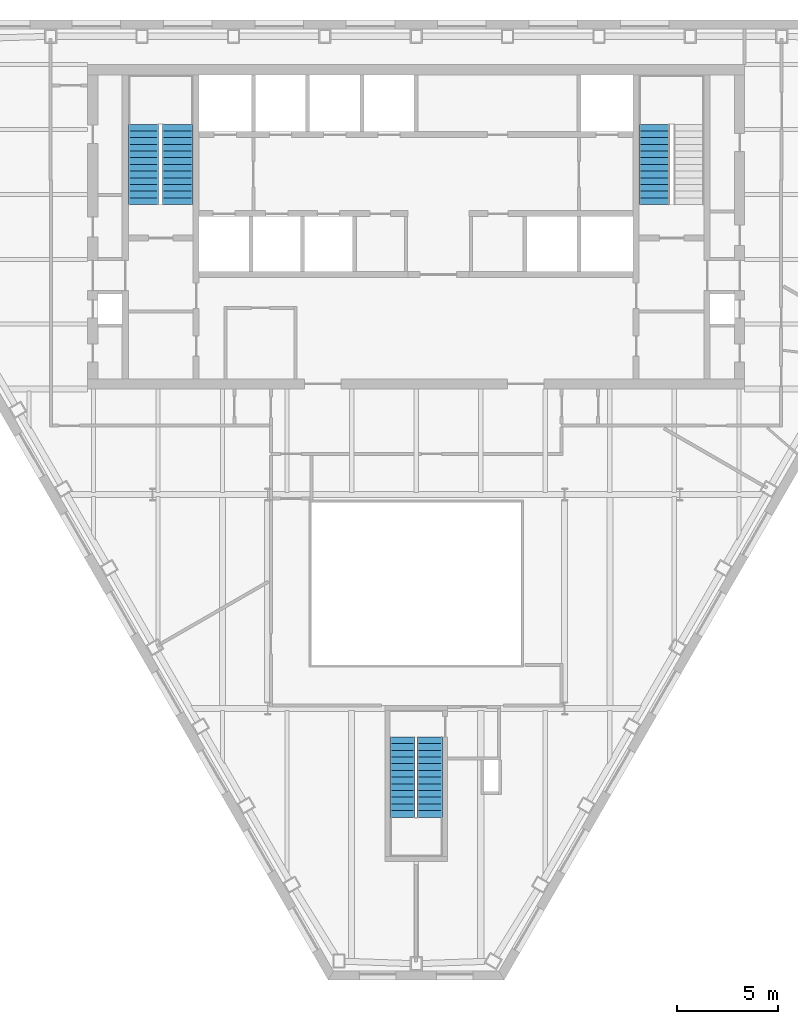
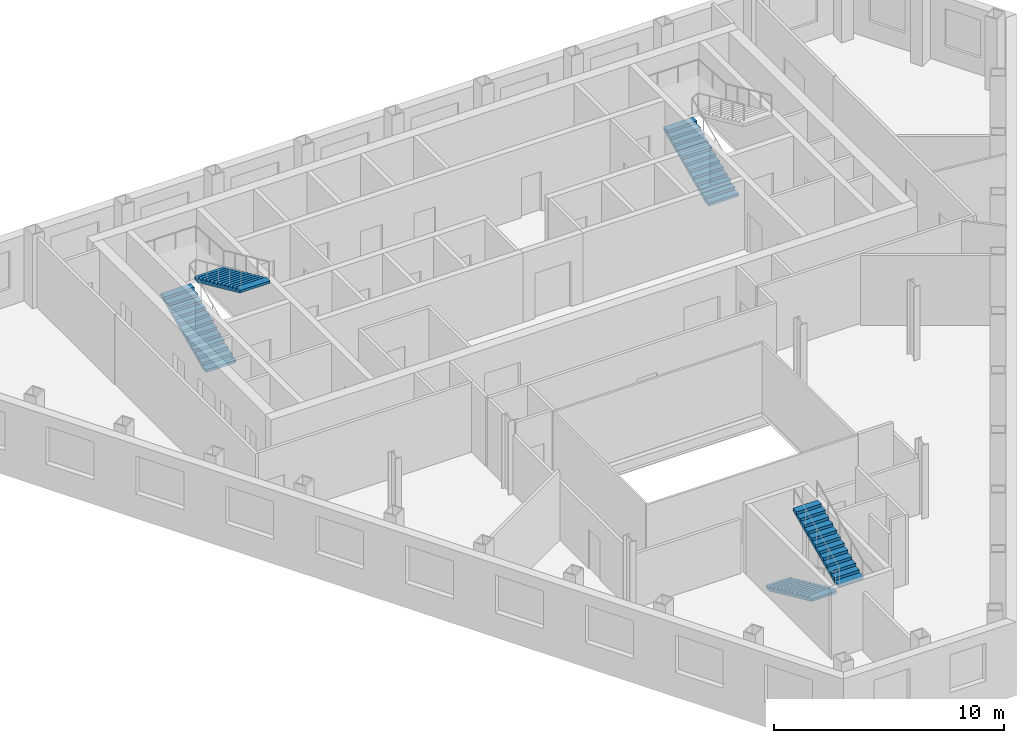
# One storey, part 8 of 10: 5 stair flights, 3 elements without a shape of their own.
"""IFC4 building model written with IfcOpenShell, lengths in metres."""

from ifc_helpers import new_model, si_unit, direction, frame, origin, place, context, subcontext, project, spatial, polygons, material, type_object, element, aggregate, save


model = new_model("IFC4")

# Units and contexts
model_context = context("Model", 3, precision=1e-05, world=origin(), true_north=direction((0.0, 1.0)))
body_context = subcontext(model_context, "Body", "Model", "MODEL_VIEW")
ifc_project = project(units=[si_unit("LENGTHUNIT", "METRE"), si_unit("AREAUNIT", "SQUARE_METRE"), si_unit("VOLUMEUNIT", "CUBIC_METRE"), si_unit("PLANEANGLEUNIT", "RADIAN"), si_unit("MASSUNIT", "GRAM", prefix="KILO")], contexts=[model_context])

# Site, building, storey
site_placement = place(None, origin())
site = spatial("IfcSite", under=ifc_project, at=site_placement, CompositionType="ELEMENT")
building_placement = place(site_placement, origin())
building = spatial("IfcBuilding", under=site, at=building_placement, Name="Njiva Tower", CompositionType="ELEMENT")
storey_placement = place(building_placement, frame((0.0, 0.0, 155.4)))
storey = spatial("IfcBuildingStorey", under=building, at=storey_placement, Name="L33", CompositionType="ELEMENT", Elevation=155.4)

# Stair, stair flights
ifc_material = material(Name="Concrete C40/50", Category="concrete")
stair_type_1 = type_object("IfcStairType", Name="ST1 Exit stair 1250", PredefinedType="HALF_TURN_STAIR", material=ifc_material)
stair_1_placement = place(storey_placement, origin())
stair_1 = element("IfcStair", 1, at=stair_1_placement, inside=storey, type_object=stair_type_1, Name="Stair C", PredefinedType="HALF_TURN_STAIR")
stair_flight_type_1 = type_object("IfcStairFlightType", Name="FL1 Stair flight 1250", PredefinedType="STRAIGHT", material=ifc_material)
stair_flight_1_placement = place(storey_placement, frame((-0.675, -15.16, 0.0), z_axis=(0.0, 0.0, 1.0), x_axis=(0.0, -1.0, 0.0)))
stair_flight_1 = element("IfcStairFlight", 2, at=stair_flight_1_placement, type_object=stair_flight_type_1, Name="ST-C flight 1", NumberOfRisers=13, NumberOfTreads=12, PredefinedType="STRAIGHT", RiserHeight=0.15, TreadLength=0.33, context=body_context, shape_type="Tessellation", body=[
    polygons([(0.0, 0.625, 0.0), (0.0, 0.3125, 0.0), (0.0, 0.0, 0.0), (0.0, -0.3125, 0.0), (0.0, -0.625, 0.0), (0.0, 0.625, 0.15), (0.0, 0.3125, 0.15), (0.0, 0.0, 0.15), (0.0, -0.3125, 0.15), (0.0, -0.625, 0.15), (0.33, 0.625, 0.15), (0.33, 0.3125, 0.15), (0.33, 0.0, 0.15), (0.33, -0.3125, 0.15), (0.33, -0.625, 0.15), (0.33, 0.625, 0.3), (0.33, 0.3125, 0.3), (0.33, 0.0, 0.3), (0.33, -0.3125, 0.3), (0.33, -0.625, 0.3), (0.66, 0.625, 0.3), (0.66, 0.3125, 0.3), (0.66, 0.0, 0.3), (0.66, -0.3125, 0.3), (0.66, -0.625, 0.3), (0.66, 0.625, 0.45), (0.66, 0.3125, 0.45), (0.66, 0.0, 0.45), (0.66, -0.3125, 0.45), (0.66, -0.625, 0.45), (0.99, 0.625, 0.45), (0.99, 0.3125, 0.45), (0.99, 0.0, 0.45), (0.99, -0.3125, 0.45), (0.99, -0.625, 0.45), (0.99, 0.625, 0.6), (0.99, 0.3125, 0.6), (0.99, 0.0, 0.6), (0.99, -0.3125, 0.6), (0.99, -0.625, 0.6), (1.32, 0.625, 0.6), (1.32, 0.3125, 0.6), (1.32, 0.0, 0.6), (1.32, -0.3125, 0.6), (1.32, -0.625, 0.6), (1.32, 0.625, 0.75), (1.32, 0.3125, 0.75), (1.32, 0.0, 0.75), (1.32, -0.3125, 0.75), (1.32, -0.625, 0.75), (1.65, 0.625, 0.75), (1.65, 0.3125, 0.75), (1.65, 0.0, 0.75), (1.65, -0.3125, 0.75), (1.65, -0.625, 0.75), (1.65, 0.625, 0.9), (1.65, 0.3125, 0.9), (1.65, 0.0, 0.9), (1.65, -0.3125, 0.9), (1.65, -0.625, 0.9), (1.98, 0.625, 0.9), (1.98, 0.3125, 0.9), (1.98, 0.0, 0.9), (1.98, -0.3125, 0.9), (1.98, -0.625, 0.9), (1.98, 0.625, 1.05), (1.98, 0.3125, 1.05), (1.98, 0.0, 1.05), (1.98, -0.3125, 1.05), (1.98, -0.625, 1.05), (2.31, 0.625, 1.05), (2.31, 0.3125, 1.05), (2.31, 0.0, 1.05), (2.31, -0.3125, 1.05), (2.31, -0.625, 1.05), (2.31, 0.625, 1.2), (2.31, 0.3125, 1.2), (2.31, 0.0, 1.2), (2.31, -0.3125, 1.2), (2.31, -0.625, 1.2), (2.64, 0.625, 1.2), (2.64, 0.3125, 1.2), (2.64, 0.0, 1.2), (2.64, -0.3125, 1.2), (2.64, -0.625, 1.2), (2.64, 0.625, 1.35), (2.64, 0.3125, 1.35), (2.64, 0.0, 1.35), (2.64, -0.3125, 1.35), (2.64, -0.625, 1.35), (2.97, 0.625, 1.35), (2.97, 0.3125, 1.35), (2.97, 0.0, 1.35), (2.97, -0.3125, 1.35), (2.97, -0.625, 1.35), (2.97, 0.625, 1.5), (2.97, 0.3125, 1.5), (2.97, 0.0, 1.5), (2.97, -0.3125, 1.5), (2.97, -0.625, 1.5), (3.3, 0.625, 1.5), (3.3, 0.3125, 1.5), (3.3, 0.0, 1.5), (3.3, -0.3125, 1.5), (3.3, -0.625, 1.5), (3.3, 0.625, 1.65), (3.3, 0.3125, 1.65), (3.3, 0.0, 1.65), (3.3, -0.3125, 1.65), (3.3, -0.625, 1.65), (3.63, 0.625, 1.65), (3.63, 0.3125, 1.65), (3.63, 0.0, 1.65), (3.63, -0.3125, 1.65), (3.63, -0.625, 1.65), (3.63, 0.625, 1.8), (3.63, 0.3125, 1.8), (3.63, 0.0, 1.8), (3.63, -0.3125, 1.8), (3.63, -0.625, 1.8), (3.96, 0.625, 1.8), (3.96, 0.3125, 1.8), (3.96, 0.0, 1.8), (3.96, -0.3125, 1.8), (3.96, -0.625, 1.8), (3.96, 0.625, 1.6682), (3.96, 0.3125, 1.6682), (3.96, 0.0, 1.6682), (3.96, -0.3125, 1.6682), (3.96, -0.625, 1.6682), (0.29, 0.625, 0.0), (0.29, 0.3125, 0.0), (0.29, 0.0, 0.0), (0.29, -0.3125, 0.0), (0.29, -0.625, 0.0)], [[[1, 6, 11, 16, 21, 26, 31, 36, 41, 46, 51, 56, 61, 66, 71, 76, 81, 86, 91, 96, 101, 106, 111, 116, 121, 126, 131]], [[135, 130, 125, 120, 115, 110, 105, 100, 95, 90, 85, 80, 75, 70, 65, 60, 55, 50, 45, 40, 35, 30, 25, 20, 15, 10, 5]], [[6, 1, 2, 7]], [[7, 2, 3, 8]], [[8, 3, 4, 9]], [[9, 4, 5, 10]], [[11, 6, 7, 12]], [[12, 7, 8, 13]], [[13, 8, 9, 14]], [[14, 9, 10, 15]], [[16, 11, 12, 17]], [[17, 12, 13, 18]], [[18, 13, 14, 19]], [[19, 14, 15, 20]], [[21, 16, 17, 22]], [[22, 17, 18, 23]], [[23, 18, 19, 24]], [[24, 19, 20, 25]], [[26, 21, 22, 27]], [[27, 22, 23, 28]], [[28, 23, 24, 29]], [[29, 24, 25, 30]], [[31, 26, 27, 32]], [[32, 27, 28, 33]], [[33, 28, 29, 34]], [[34, 29, 30, 35]], [[36, 31, 32, 37]], [[37, 32, 33, 38]], [[38, 33, 34, 39]], [[39, 34, 35, 40]], [[41, 36, 37, 42]], [[42, 37, 38, 43]], [[43, 38, 39, 44]], [[44, 39, 40, 45]], [[46, 41, 42, 47]], [[47, 42, 43, 48]], [[48, 43, 44, 49]], [[49, 44, 45, 50]], [[51, 46, 47, 52]], [[52, 47, 48, 53]], [[53, 48, 49, 54]], [[54, 49, 50, 55]], [[56, 51, 52, 57]], [[57, 52, 53, 58]], [[58, 53, 54, 59]], [[59, 54, 55, 60]], [[61, 56, 57, 62]], [[62, 57, 58, 63]], [[63, 58, 59, 64]], [[64, 59, 60, 65]], [[66, 61, 62, 67]], [[67, 62, 63, 68]], [[68, 63, 64, 69]], [[69, 64, 65, 70]], [[71, 66, 67, 72]], [[72, 67, 68, 73]], [[73, 68, 69, 74]], [[74, 69, 70, 75]], [[76, 71, 72, 77]], [[77, 72, 73, 78]], [[78, 73, 74, 79]], [[79, 74, 75, 80]], [[81, 76, 77, 82]], [[82, 77, 78, 83]], [[83, 78, 79, 84]], [[84, 79, 80, 85]], [[86, 81, 82, 87]], [[87, 82, 83, 88]], [[88, 83, 84, 89]], [[89, 84, 85, 90]], [[91, 86, 87, 92]], [[92, 87, 88, 93]], [[93, 88, 89, 94]], [[94, 89, 90, 95]], [[96, 91, 92, 97]], [[97, 92, 93, 98]], [[98, 93, 94, 99]], [[99, 94, 95, 100]], [[101, 96, 97, 102]], [[102, 97, 98, 103]], [[103, 98, 99, 104]], [[104, 99, 100, 105]], [[106, 101, 102, 107]], [[107, 102, 103, 108]], [[108, 103, 104, 109]], [[109, 104, 105, 110]], [[111, 106, 107, 112]], [[112, 107, 108, 113]], [[113, 108, 109, 114]], [[114, 109, 110, 115]], [[116, 111, 112, 117]], [[117, 112, 113, 118]], [[118, 113, 114, 119]], [[119, 114, 115, 120]], [[121, 116, 117, 122]], [[122, 117, 118, 123]], [[123, 118, 119, 124]], [[124, 119, 120, 125]], [[126, 121, 122, 127]], [[127, 122, 123, 128]], [[128, 123, 124, 129]], [[129, 124, 125, 130]], [[131, 126, 127, 132]], [[132, 127, 128, 133]], [[133, 128, 129, 134]], [[134, 129, 130, 135]], [[1, 131, 132, 2]], [[2, 132, 133, 3]], [[3, 133, 134, 4]], [[4, 134, 135, 5]]], closed=True),
])
stair_flight_2_placement = place(storey_placement, frame((0.675, -19.12, 1.95), z_axis=(0.0, 0.0, 1.0), x_axis=(0.0, 1.0, 0.0)))
stair_flight_2 = element("IfcStairFlight", 3, at=stair_flight_2_placement, type_object=stair_flight_type_1, Name="ST-C flight 2", NumberOfRisers=13, NumberOfTreads=12, PredefinedType="STRAIGHT", RiserHeight=0.15, TreadLength=0.33, context=body_context, shape_type="Tessellation", body=[
    polygons([(0.0, 0.625, 0.0), (0.0, 0.3125, 0.0), (0.0, 0.0, 0.0), (0.0, -0.3125, 0.0), (0.0, -0.625, 0.0), (0.0, 0.625, 0.15), (0.0, 0.3125, 0.15), (0.0, 0.0, 0.15), (0.0, -0.3125, 0.15), (0.0, -0.625, 0.15), (0.33, 0.625, 0.15), (0.33, 0.3125, 0.15), (0.33, 0.0, 0.15), (0.33, -0.3125, 0.15), (0.33, -0.625, 0.15), (0.33, 0.625, 0.3), (0.33, 0.3125, 0.3), (0.33, 0.0, 0.3), (0.33, -0.3125, 0.3), (0.33, -0.625, 0.3), (0.66, 0.625, 0.3), (0.66, 0.3125, 0.3), (0.66, 0.0, 0.3), (0.66, -0.3125, 0.3), (0.66, -0.625, 0.3), (0.66, 0.625, 0.45), (0.66, 0.3125, 0.45), (0.66, 0.0, 0.45), (0.66, -0.3125, 0.45), (0.66, -0.625, 0.45), (0.99, 0.625, 0.45), (0.99, 0.3125, 0.45), (0.99, 0.0, 0.45), (0.99, -0.3125, 0.45), (0.99, -0.625, 0.45), (0.99, 0.625, 0.6), (0.99, 0.3125, 0.6), (0.99, 0.0, 0.6), (0.99, -0.3125, 0.6), (0.99, -0.625, 0.6), (1.32, 0.625, 0.6), (1.32, 0.3125, 0.6), (1.32, 0.0, 0.6), (1.32, -0.3125, 0.6), (1.32, -0.625, 0.6), (1.32, 0.625, 0.75), (1.32, 0.3125, 0.75), (1.32, 0.0, 0.75), (1.32, -0.3125, 0.75), (1.32, -0.625, 0.75), (1.65, 0.625, 0.75), (1.65, 0.3125, 0.75), (1.65, 0.0, 0.75), (1.65, -0.3125, 0.75), (1.65, -0.625, 0.75), (1.65, 0.625, 0.9), (1.65, 0.3125, 0.9), (1.65, 0.0, 0.9), (1.65, -0.3125, 0.9), (1.65, -0.625, 0.9), (1.98, 0.625, 0.9), (1.98, 0.3125, 0.9), (1.98, 0.0, 0.9), (1.98, -0.3125, 0.9), (1.98, -0.625, 0.9), (1.98, 0.625, 1.05), (1.98, 0.3125, 1.05), (1.98, 0.0, 1.05), (1.98, -0.3125, 1.05), (1.98, -0.625, 1.05), (2.31, 0.625, 1.05), (2.31, 0.3125, 1.05), (2.31, 0.0, 1.05), (2.31, -0.3125, 1.05), (2.31, -0.625, 1.05), (2.31, 0.625, 1.2), (2.31, 0.3125, 1.2), (2.31, 0.0, 1.2), (2.31, -0.3125, 1.2), (2.31, -0.625, 1.2), (2.64, 0.625, 1.2), (2.64, 0.3125, 1.2), (2.64, 0.0, 1.2), (2.64, -0.3125, 1.2), (2.64, -0.625, 1.2), (2.64, 0.625, 1.35), (2.64, 0.3125, 1.35), (2.64, 0.0, 1.35), (2.64, -0.3125, 1.35), (2.64, -0.625, 1.35), (2.97, 0.625, 1.35), (2.97, 0.3125, 1.35), (2.97, 0.0, 1.35), (2.97, -0.3125, 1.35), (2.97, -0.625, 1.35), (2.97, 0.625, 1.5), (2.97, 0.3125, 1.5), (2.97, 0.0, 1.5), (2.97, -0.3125, 1.5), (2.97, -0.625, 1.5), (3.3, 0.625, 1.5), (3.3, 0.3125, 1.5), (3.3, 0.0, 1.5), (3.3, -0.3125, 1.5), (3.3, -0.625, 1.5), (3.3, 0.625, 1.65), (3.3, 0.3125, 1.65), (3.3, 0.0, 1.65), (3.3, -0.3125, 1.65), (3.3, -0.625, 1.65), (3.63, 0.625, 1.65), (3.63, 0.3125, 1.65), (3.63, 0.0, 1.65), (3.63, -0.3125, 1.65), (3.63, -0.625, 1.65), (3.63, 0.625, 1.8), (3.63, 0.3125, 1.8), (3.63, 0.0, 1.8), (3.63, -0.3125, 1.8), (3.63, -0.625, 1.8), (3.96, 0.625, 1.8), (3.96, 0.3125, 1.8), (3.96, 0.0, 1.8), (3.96, -0.3125, 1.8), (3.96, -0.625, 1.8), (3.96, 0.625, 1.6682), (3.96, 0.3125, 1.6682), (3.96, 0.0, 1.6682), (3.96, -0.3125, 1.6682), (3.96, -0.625, 1.6682), (0.29, 0.625, 0.0), (0.29, 0.3125, 0.0), (0.29, 0.0, 0.0), (0.29, -0.3125, 0.0), (0.29, -0.625, 0.0)], [[[1, 6, 11, 16, 21, 26, 31, 36, 41, 46, 51, 56, 61, 66, 71, 76, 81, 86, 91, 96, 101, 106, 111, 116, 121, 126, 131]], [[135, 130, 125, 120, 115, 110, 105, 100, 95, 90, 85, 80, 75, 70, 65, 60, 55, 50, 45, 40, 35, 30, 25, 20, 15, 10, 5]], [[6, 1, 2, 7]], [[7, 2, 3, 8]], [[8, 3, 4, 9]], [[9, 4, 5, 10]], [[11, 6, 7, 12]], [[12, 7, 8, 13]], [[13, 8, 9, 14]], [[14, 9, 10, 15]], [[16, 11, 12, 17]], [[17, 12, 13, 18]], [[18, 13, 14, 19]], [[19, 14, 15, 20]], [[21, 16, 17, 22]], [[22, 17, 18, 23]], [[23, 18, 19, 24]], [[24, 19, 20, 25]], [[26, 21, 22, 27]], [[27, 22, 23, 28]], [[28, 23, 24, 29]], [[29, 24, 25, 30]], [[31, 26, 27, 32]], [[32, 27, 28, 33]], [[33, 28, 29, 34]], [[34, 29, 30, 35]], [[36, 31, 32, 37]], [[37, 32, 33, 38]], [[38, 33, 34, 39]], [[39, 34, 35, 40]], [[41, 36, 37, 42]], [[42, 37, 38, 43]], [[43, 38, 39, 44]], [[44, 39, 40, 45]], [[46, 41, 42, 47]], [[47, 42, 43, 48]], [[48, 43, 44, 49]], [[49, 44, 45, 50]], [[51, 46, 47, 52]], [[52, 47, 48, 53]], [[53, 48, 49, 54]], [[54, 49, 50, 55]], [[56, 51, 52, 57]], [[57, 52, 53, 58]], [[58, 53, 54, 59]], [[59, 54, 55, 60]], [[61, 56, 57, 62]], [[62, 57, 58, 63]], [[63, 58, 59, 64]], [[64, 59, 60, 65]], [[66, 61, 62, 67]], [[67, 62, 63, 68]], [[68, 63, 64, 69]], [[69, 64, 65, 70]], [[71, 66, 67, 72]], [[72, 67, 68, 73]], [[73, 68, 69, 74]], [[74, 69, 70, 75]], [[76, 71, 72, 77]], [[77, 72, 73, 78]], [[78, 73, 74, 79]], [[79, 74, 75, 80]], [[81, 76, 77, 82]], [[82, 77, 78, 83]], [[83, 78, 79, 84]], [[84, 79, 80, 85]], [[86, 81, 82, 87]], [[87, 82, 83, 88]], [[88, 83, 84, 89]], [[89, 84, 85, 90]], [[91, 86, 87, 92]], [[92, 87, 88, 93]], [[93, 88, 89, 94]], [[94, 89, 90, 95]], [[96, 91, 92, 97]], [[97, 92, 93, 98]], [[98, 93, 94, 99]], [[99, 94, 95, 100]], [[101, 96, 97, 102]], [[102, 97, 98, 103]], [[103, 98, 99, 104]], [[104, 99, 100, 105]], [[106, 101, 102, 107]], [[107, 102, 103, 108]], [[108, 103, 104, 109]], [[109, 104, 105, 110]], [[111, 106, 107, 112]], [[112, 107, 108, 113]], [[113, 108, 109, 114]], [[114, 109, 110, 115]], [[116, 111, 112, 117]], [[117, 112, 113, 118]], [[118, 113, 114, 119]], [[119, 114, 115, 120]], [[121, 116, 117, 122]], [[122, 117, 118, 123]], [[123, 118, 119, 124]], [[124, 119, 120, 125]], [[126, 121, 122, 127]], [[127, 122, 123, 128]], [[128, 123, 124, 129]], [[129, 124, 125, 130]], [[131, 126, 127, 132]], [[132, 127, 128, 133]], [[133, 128, 129, 134]], [[134, 129, 130, 135]], [[1, 131, 132, 2]], [[2, 132, 133, 3]], [[3, 133, 134, 4]], [[4, 134, 135, 5]]], closed=True),
])
aggregate(stair_1, [stair_flight_1, stair_flight_2])

stair_type_2 = type_object("IfcStairType", Name="ST4 Exit stair 1500", PredefinedType="HALF_TURN_STAIR", material=ifc_material)
stair_2_placement = place(storey_placement, origin())
stair_2 = element("IfcStair", 4, at=stair_2_placement, inside=storey, type_object=stair_type_2, Name="Stair A", PredefinedType="HALF_TURN_STAIR")
stair_flight_type_2 = type_object("IfcStairFlightType", Name="FL4 Stair flight 1500", PredefinedType="STRAIGHT", material=ifc_material)
stair_flight_3_placement = place(storey_placement, frame((-13.45, 11.1, 0.0), z_axis=(0.0, 0.0, 1.0), x_axis=(0.0, 1.0, 0.0)))
stair_flight_3 = element("IfcStairFlight", 5, at=stair_flight_3_placement, type_object=stair_flight_type_2, Name="ST-A flight 1", NumberOfRisers=13, NumberOfTreads=12, PredefinedType="STRAIGHT", RiserHeight=0.15, TreadLength=0.33, context=body_context, shape_type="Tessellation", body=[
    polygons([(0.0, 0.75, 0.0), (0.0, 0.375, 0.0), (0.0, 0.0, 0.0), (0.0, -0.375, 0.0), (0.0, -0.75, 0.0), (0.0, 0.75, 0.15), (0.0, 0.375, 0.15), (0.0, 0.0, 0.15), (0.0, -0.375, 0.15), (0.0, -0.75, 0.15), (0.33, 0.75, 0.15), (0.33, 0.375, 0.15), (0.33, 0.0, 0.15), (0.33, -0.375, 0.15), (0.33, -0.75, 0.15), (0.33, 0.75, 0.3), (0.33, 0.375, 0.3), (0.33, 0.0, 0.3), (0.33, -0.375, 0.3), (0.33, -0.75, 0.3), (0.66, 0.75, 0.3), (0.66, 0.375, 0.3), (0.66, 0.0, 0.3), (0.66, -0.375, 0.3), (0.66, -0.75, 0.3), (0.66, 0.75, 0.45), (0.66, 0.375, 0.45), (0.66, 0.0, 0.45), (0.66, -0.375, 0.45), (0.66, -0.75, 0.45), (0.99, 0.75, 0.45), (0.99, 0.375, 0.45), (0.99, 0.0, 0.45), (0.99, -0.375, 0.45), (0.99, -0.75, 0.45), (0.99, 0.75, 0.6), (0.99, 0.375, 0.6), (0.99, 0.0, 0.6), (0.99, -0.375, 0.6), (0.99, -0.75, 0.6), (1.32, 0.75, 0.6), (1.32, 0.375, 0.6), (1.32, 0.0, 0.6), (1.32, -0.375, 0.6), (1.32, -0.75, 0.6), (1.32, 0.75, 0.75), (1.32, 0.375, 0.75), (1.32, 0.0, 0.75), (1.32, -0.375, 0.75), (1.32, -0.75, 0.75), (1.65, 0.75, 0.75), (1.65, 0.375, 0.75), (1.65, 0.0, 0.75), (1.65, -0.375, 0.75), (1.65, -0.75, 0.75), (1.65, 0.75, 0.9), (1.65, 0.375, 0.9), (1.65, 0.0, 0.9), (1.65, -0.375, 0.9), (1.65, -0.75, 0.9), (1.98, 0.75, 0.9), (1.98, 0.375, 0.9), (1.98, 0.0, 0.9), (1.98, -0.375, 0.9), (1.98, -0.75, 0.9), (1.98, 0.75, 1.05), (1.98, 0.375, 1.05), (1.98, 0.0, 1.05), (1.98, -0.375, 1.05), (1.98, -0.75, 1.05), (2.31, 0.75, 1.05), (2.31, 0.375, 1.05), (2.31, 0.0, 1.05), (2.31, -0.375, 1.05), (2.31, -0.75, 1.05), (2.31, 0.75, 1.2), (2.31, 0.375, 1.2), (2.31, 0.0, 1.2), (2.31, -0.375, 1.2), (2.31, -0.75, 1.2), (2.64, 0.75, 1.2), (2.64, 0.375, 1.2), (2.64, 0.0, 1.2), (2.64, -0.375, 1.2), (2.64, -0.75, 1.2), (2.64, 0.75, 1.35), (2.64, 0.375, 1.35), (2.64, 0.0, 1.35), (2.64, -0.375, 1.35), (2.64, -0.75, 1.35), (2.97, 0.75, 1.35), (2.97, 0.375, 1.35), (2.97, 0.0, 1.35), (2.97, -0.375, 1.35), (2.97, -0.75, 1.35), (2.97, 0.75, 1.5), (2.97, 0.375, 1.5), (2.97, 0.0, 1.5), (2.97, -0.375, 1.5), (2.97, -0.75, 1.5), (3.3, 0.75, 1.5), (3.3, 0.375, 1.5), (3.3, 0.0, 1.5), (3.3, -0.375, 1.5), (3.3, -0.75, 1.5), (3.3, 0.75, 1.65), (3.3, 0.375, 1.65), (3.3, 0.0, 1.65), (3.3, -0.375, 1.65), (3.3, -0.75, 1.65), (3.63, 0.75, 1.65), (3.63, 0.375, 1.65), (3.63, 0.0, 1.65), (3.63, -0.375, 1.65), (3.63, -0.75, 1.65), (3.63, 0.75, 1.8), (3.63, 0.375, 1.8), (3.63, 0.0, 1.8), (3.63, -0.375, 1.8), (3.63, -0.75, 1.8), (3.96, 0.75, 1.8), (3.96, 0.375, 1.8), (3.96, 0.0, 1.8), (3.96, -0.375, 1.8), (3.96, -0.75, 1.8), (3.96, 0.75, 1.6682), (3.96, 0.375, 1.6682), (3.96, 0.0, 1.6682), (3.96, -0.375, 1.6682), (3.96, -0.75, 1.6682), (0.29, 0.75, 0.0), (0.29, 0.375, 0.0), (0.29, 0.0, 0.0), (0.29, -0.375, 0.0), (0.29, -0.75, 0.0)], [[[1, 6, 11, 16, 21, 26, 31, 36, 41, 46, 51, 56, 61, 66, 71, 76, 81, 86, 91, 96, 101, 106, 111, 116, 121, 126, 131]], [[135, 130, 125, 120, 115, 110, 105, 100, 95, 90, 85, 80, 75, 70, 65, 60, 55, 50, 45, 40, 35, 30, 25, 20, 15, 10, 5]], [[6, 1, 2, 7]], [[7, 2, 3, 8]], [[8, 3, 4, 9]], [[9, 4, 5, 10]], [[11, 6, 7, 12]], [[12, 7, 8, 13]], [[13, 8, 9, 14]], [[14, 9, 10, 15]], [[16, 11, 12, 17]], [[17, 12, 13, 18]], [[18, 13, 14, 19]], [[19, 14, 15, 20]], [[21, 16, 17, 22]], [[22, 17, 18, 23]], [[23, 18, 19, 24]], [[24, 19, 20, 25]], [[26, 21, 22, 27]], [[27, 22, 23, 28]], [[28, 23, 24, 29]], [[29, 24, 25, 30]], [[31, 26, 27, 32]], [[32, 27, 28, 33]], [[33, 28, 29, 34]], [[34, 29, 30, 35]], [[36, 31, 32, 37]], [[37, 32, 33, 38]], [[38, 33, 34, 39]], [[39, 34, 35, 40]], [[41, 36, 37, 42]], [[42, 37, 38, 43]], [[43, 38, 39, 44]], [[44, 39, 40, 45]], [[46, 41, 42, 47]], [[47, 42, 43, 48]], [[48, 43, 44, 49]], [[49, 44, 45, 50]], [[51, 46, 47, 52]], [[52, 47, 48, 53]], [[53, 48, 49, 54]], [[54, 49, 50, 55]], [[56, 51, 52, 57]], [[57, 52, 53, 58]], [[58, 53, 54, 59]], [[59, 54, 55, 60]], [[61, 56, 57, 62]], [[62, 57, 58, 63]], [[63, 58, 59, 64]], [[64, 59, 60, 65]], [[66, 61, 62, 67]], [[67, 62, 63, 68]], [[68, 63, 64, 69]], [[69, 64, 65, 70]], [[71, 66, 67, 72]], [[72, 67, 68, 73]], [[73, 68, 69, 74]], [[74, 69, 70, 75]], [[76, 71, 72, 77]], [[77, 72, 73, 78]], [[78, 73, 74, 79]], [[79, 74, 75, 80]], [[81, 76, 77, 82]], [[82, 77, 78, 83]], [[83, 78, 79, 84]], [[84, 79, 80, 85]], [[86, 81, 82, 87]], [[87, 82, 83, 88]], [[88, 83, 84, 89]], [[89, 84, 85, 90]], [[91, 86, 87, 92]], [[92, 87, 88, 93]], [[93, 88, 89, 94]], [[94, 89, 90, 95]], [[96, 91, 92, 97]], [[97, 92, 93, 98]], [[98, 93, 94, 99]], [[99, 94, 95, 100]], [[101, 96, 97, 102]], [[102, 97, 98, 103]], [[103, 98, 99, 104]], [[104, 99, 100, 105]], [[106, 101, 102, 107]], [[107, 102, 103, 108]], [[108, 103, 104, 109]], [[109, 104, 105, 110]], [[111, 106, 107, 112]], [[112, 107, 108, 113]], [[113, 108, 109, 114]], [[114, 109, 110, 115]], [[116, 111, 112, 117]], [[117, 112, 113, 118]], [[118, 113, 114, 119]], [[119, 114, 115, 120]], [[121, 116, 117, 122]], [[122, 117, 118, 123]], [[123, 118, 119, 124]], [[124, 119, 120, 125]], [[126, 121, 122, 127]], [[127, 122, 123, 128]], [[128, 123, 124, 129]], [[129, 124, 125, 130]], [[131, 126, 127, 132]], [[132, 127, 128, 133]], [[133, 128, 129, 134]], [[134, 129, 130, 135]], [[1, 131, 132, 2]], [[2, 132, 133, 3]], [[3, 133, 134, 4]], [[4, 134, 135, 5]]], closed=True),
])
stair_flight_4_placement = place(storey_placement, frame((-11.75, 15.06, 1.95), z_axis=(0.0, 0.0, 1.0), x_axis=(0.0, -1.0, 0.0)))
stair_flight_4 = element("IfcStairFlight", 6, at=stair_flight_4_placement, type_object=stair_flight_type_2, Name="ST-A flight 2", NumberOfRisers=13, NumberOfTreads=12, PredefinedType="STRAIGHT", RiserHeight=0.15, TreadLength=0.33, context=body_context, shape_type="Tessellation", body=[
    polygons([(0.0, 0.75, 0.0), (0.0, 0.375, 0.0), (0.0, 0.0, 0.0), (0.0, -0.375, 0.0), (0.0, -0.75, 0.0), (0.0, 0.75, 0.15), (0.0, 0.375, 0.15), (0.0, 0.0, 0.15), (0.0, -0.375, 0.15), (0.0, -0.75, 0.15), (0.33, 0.75, 0.15), (0.33, 0.375, 0.15), (0.33, 0.0, 0.15), (0.33, -0.375, 0.15), (0.33, -0.75, 0.15), (0.33, 0.75, 0.3), (0.33, 0.375, 0.3), (0.33, 0.0, 0.3), (0.33, -0.375, 0.3), (0.33, -0.75, 0.3), (0.66, 0.75, 0.3), (0.66, 0.375, 0.3), (0.66, 0.0, 0.3), (0.66, -0.375, 0.3), (0.66, -0.75, 0.3), (0.66, 0.75, 0.45), (0.66, 0.375, 0.45), (0.66, 0.0, 0.45), (0.66, -0.375, 0.45), (0.66, -0.75, 0.45), (0.99, 0.75, 0.45), (0.99, 0.375, 0.45), (0.99, 0.0, 0.45), (0.99, -0.375, 0.45), (0.99, -0.75, 0.45), (0.99, 0.75, 0.6), (0.99, 0.375, 0.6), (0.99, 0.0, 0.6), (0.99, -0.375, 0.6), (0.99, -0.75, 0.6), (1.32, 0.75, 0.6), (1.32, 0.375, 0.6), (1.32, 0.0, 0.6), (1.32, -0.375, 0.6), (1.32, -0.75, 0.6), (1.32, 0.75, 0.75), (1.32, 0.375, 0.75), (1.32, 0.0, 0.75), (1.32, -0.375, 0.75), (1.32, -0.75, 0.75), (1.65, 0.75, 0.75), (1.65, 0.375, 0.75), (1.65, 0.0, 0.75), (1.65, -0.375, 0.75), (1.65, -0.75, 0.75), (1.65, 0.75, 0.9), (1.65, 0.375, 0.9), (1.65, 0.0, 0.9), (1.65, -0.375, 0.9), (1.65, -0.75, 0.9), (1.98, 0.75, 0.9), (1.98, 0.375, 0.9), (1.98, 0.0, 0.9), (1.98, -0.375, 0.9), (1.98, -0.75, 0.9), (1.98, 0.75, 1.05), (1.98, 0.375, 1.05), (1.98, 0.0, 1.05), (1.98, -0.375, 1.05), (1.98, -0.75, 1.05), (2.31, 0.75, 1.05), (2.31, 0.375, 1.05), (2.31, 0.0, 1.05), (2.31, -0.375, 1.05), (2.31, -0.75, 1.05), (2.31, 0.75, 1.2), (2.31, 0.375, 1.2), (2.31, 0.0, 1.2), (2.31, -0.375, 1.2), (2.31, -0.75, 1.2), (2.64, 0.75, 1.2), (2.64, 0.375, 1.2), (2.64, 0.0, 1.2), (2.64, -0.375, 1.2), (2.64, -0.75, 1.2), (2.64, 0.75, 1.35), (2.64, 0.375, 1.35), (2.64, 0.0, 1.35), (2.64, -0.375, 1.35), (2.64, -0.75, 1.35), (2.97, 0.75, 1.35), (2.97, 0.375, 1.35), (2.97, 0.0, 1.35), (2.97, -0.375, 1.35), (2.97, -0.75, 1.35), (2.97, 0.75, 1.5), (2.97, 0.375, 1.5), (2.97, 0.0, 1.5), (2.97, -0.375, 1.5), (2.97, -0.75, 1.5), (3.3, 0.75, 1.5), (3.3, 0.375, 1.5), (3.3, 0.0, 1.5), (3.3, -0.375, 1.5), (3.3, -0.75, 1.5), (3.3, 0.75, 1.65), (3.3, 0.375, 1.65), (3.3, 0.0, 1.65), (3.3, -0.375, 1.65), (3.3, -0.75, 1.65), (3.63, 0.75, 1.65), (3.63, 0.375, 1.65), (3.63, 0.0, 1.65), (3.63, -0.375, 1.65), (3.63, -0.75, 1.65), (3.63, 0.75, 1.8), (3.63, 0.375, 1.8), (3.63, 0.0, 1.8), (3.63, -0.375, 1.8), (3.63, -0.75, 1.8), (3.96, 0.75, 1.8), (3.96, 0.375, 1.8), (3.96, 0.0, 1.8), (3.96, -0.375, 1.8), (3.96, -0.75, 1.8), (3.96, 0.75, 1.6682), (3.96, 0.375, 1.6682), (3.96, 0.0, 1.6682), (3.96, -0.375, 1.6682), (3.96, -0.75, 1.6682), (0.29, 0.75, 0.0), (0.29, 0.375, 0.0), (0.29, 0.0, 0.0), (0.29, -0.375, 0.0), (0.29, -0.75, 0.0)], [[[1, 6, 11, 16, 21, 26, 31, 36, 41, 46, 51, 56, 61, 66, 71, 76, 81, 86, 91, 96, 101, 106, 111, 116, 121, 126, 131]], [[135, 130, 125, 120, 115, 110, 105, 100, 95, 90, 85, 80, 75, 70, 65, 60, 55, 50, 45, 40, 35, 30, 25, 20, 15, 10, 5]], [[6, 1, 2, 7]], [[7, 2, 3, 8]], [[8, 3, 4, 9]], [[9, 4, 5, 10]], [[11, 6, 7, 12]], [[12, 7, 8, 13]], [[13, 8, 9, 14]], [[14, 9, 10, 15]], [[16, 11, 12, 17]], [[17, 12, 13, 18]], [[18, 13, 14, 19]], [[19, 14, 15, 20]], [[21, 16, 17, 22]], [[22, 17, 18, 23]], [[23, 18, 19, 24]], [[24, 19, 20, 25]], [[26, 21, 22, 27]], [[27, 22, 23, 28]], [[28, 23, 24, 29]], [[29, 24, 25, 30]], [[31, 26, 27, 32]], [[32, 27, 28, 33]], [[33, 28, 29, 34]], [[34, 29, 30, 35]], [[36, 31, 32, 37]], [[37, 32, 33, 38]], [[38, 33, 34, 39]], [[39, 34, 35, 40]], [[41, 36, 37, 42]], [[42, 37, 38, 43]], [[43, 38, 39, 44]], [[44, 39, 40, 45]], [[46, 41, 42, 47]], [[47, 42, 43, 48]], [[48, 43, 44, 49]], [[49, 44, 45, 50]], [[51, 46, 47, 52]], [[52, 47, 48, 53]], [[53, 48, 49, 54]], [[54, 49, 50, 55]], [[56, 51, 52, 57]], [[57, 52, 53, 58]], [[58, 53, 54, 59]], [[59, 54, 55, 60]], [[61, 56, 57, 62]], [[62, 57, 58, 63]], [[63, 58, 59, 64]], [[64, 59, 60, 65]], [[66, 61, 62, 67]], [[67, 62, 63, 68]], [[68, 63, 64, 69]], [[69, 64, 65, 70]], [[71, 66, 67, 72]], [[72, 67, 68, 73]], [[73, 68, 69, 74]], [[74, 69, 70, 75]], [[76, 71, 72, 77]], [[77, 72, 73, 78]], [[78, 73, 74, 79]], [[79, 74, 75, 80]], [[81, 76, 77, 82]], [[82, 77, 78, 83]], [[83, 78, 79, 84]], [[84, 79, 80, 85]], [[86, 81, 82, 87]], [[87, 82, 83, 88]], [[88, 83, 84, 89]], [[89, 84, 85, 90]], [[91, 86, 87, 92]], [[92, 87, 88, 93]], [[93, 88, 89, 94]], [[94, 89, 90, 95]], [[96, 91, 92, 97]], [[97, 92, 93, 98]], [[98, 93, 94, 99]], [[99, 94, 95, 100]], [[101, 96, 97, 102]], [[102, 97, 98, 103]], [[103, 98, 99, 104]], [[104, 99, 100, 105]], [[106, 101, 102, 107]], [[107, 102, 103, 108]], [[108, 103, 104, 109]], [[109, 104, 105, 110]], [[111, 106, 107, 112]], [[112, 107, 108, 113]], [[113, 108, 109, 114]], [[114, 109, 110, 115]], [[116, 111, 112, 117]], [[117, 112, 113, 118]], [[118, 113, 114, 119]], [[119, 114, 115, 120]], [[121, 116, 117, 122]], [[122, 117, 118, 123]], [[123, 118, 119, 124]], [[124, 119, 120, 125]], [[126, 121, 122, 127]], [[127, 122, 123, 128]], [[128, 123, 124, 129]], [[129, 124, 125, 130]], [[131, 126, 127, 132]], [[132, 127, 128, 133]], [[133, 128, 129, 134]], [[134, 129, 130, 135]], [[1, 131, 132, 2]], [[2, 132, 133, 3]], [[3, 133, 134, 4]], [[4, 134, 135, 5]]], closed=True),
])
aggregate(stair_2, [stair_flight_3, stair_flight_4])

# Stair, stair flight
stair_3_placement = place(storey_placement, origin())
stair_3 = element("IfcStair", 7, at=stair_3_placement, inside=storey, type_object=stair_type_2, Name="Stair B", PredefinedType="HALF_TURN_STAIR")
stair_flight_5_placement = place(storey_placement, frame((11.75, 11.1, 0.0), z_axis=(0.0, 0.0, 1.0), x_axis=(0.0, 1.0, 0.0)))
stair_flight_5 = element("IfcStairFlight", 8, at=stair_flight_5_placement, type_object=stair_flight_type_2, Name="ST-B flight 1", NumberOfRisers=13, NumberOfTreads=12, PredefinedType="STRAIGHT", RiserHeight=0.15, TreadLength=0.33, context=body_context, shape_type="Tessellation", body=[
    polygons([(0.0, 0.75, 0.0), (0.0, 0.375, 0.0), (0.0, 0.0, 0.0), (0.0, -0.375, 0.0), (0.0, -0.75, 0.0), (0.0, 0.75, 0.15), (0.0, 0.375, 0.15), (0.0, 0.0, 0.15), (0.0, -0.375, 0.15), (0.0, -0.75, 0.15), (0.33, 0.75, 0.15), (0.33, 0.375, 0.15), (0.33, 0.0, 0.15), (0.33, -0.375, 0.15), (0.33, -0.75, 0.15), (0.33, 0.75, 0.3), (0.33, 0.375, 0.3), (0.33, 0.0, 0.3), (0.33, -0.375, 0.3), (0.33, -0.75, 0.3), (0.66, 0.75, 0.3), (0.66, 0.375, 0.3), (0.66, 0.0, 0.3), (0.66, -0.375, 0.3), (0.66, -0.75, 0.3), (0.66, 0.75, 0.45), (0.66, 0.375, 0.45), (0.66, 0.0, 0.45), (0.66, -0.375, 0.45), (0.66, -0.75, 0.45), (0.99, 0.75, 0.45), (0.99, 0.375, 0.45), (0.99, 0.0, 0.45), (0.99, -0.375, 0.45), (0.99, -0.75, 0.45), (0.99, 0.75, 0.6), (0.99, 0.375, 0.6), (0.99, 0.0, 0.6), (0.99, -0.375, 0.6), (0.99, -0.75, 0.6), (1.32, 0.75, 0.6), (1.32, 0.375, 0.6), (1.32, 0.0, 0.6), (1.32, -0.375, 0.6), (1.32, -0.75, 0.6), (1.32, 0.75, 0.75), (1.32, 0.375, 0.75), (1.32, 0.0, 0.75), (1.32, -0.375, 0.75), (1.32, -0.75, 0.75), (1.65, 0.75, 0.75), (1.65, 0.375, 0.75), (1.65, 0.0, 0.75), (1.65, -0.375, 0.75), (1.65, -0.75, 0.75), (1.65, 0.75, 0.9), (1.65, 0.375, 0.9), (1.65, 0.0, 0.9), (1.65, -0.375, 0.9), (1.65, -0.75, 0.9), (1.98, 0.75, 0.9), (1.98, 0.375, 0.9), (1.98, 0.0, 0.9), (1.98, -0.375, 0.9), (1.98, -0.75, 0.9), (1.98, 0.75, 1.05), (1.98, 0.375, 1.05), (1.98, 0.0, 1.05), (1.98, -0.375, 1.05), (1.98, -0.75, 1.05), (2.31, 0.75, 1.05), (2.31, 0.375, 1.05), (2.31, 0.0, 1.05), (2.31, -0.375, 1.05), (2.31, -0.75, 1.05), (2.31, 0.75, 1.2), (2.31, 0.375, 1.2), (2.31, 0.0, 1.2), (2.31, -0.375, 1.2), (2.31, -0.75, 1.2), (2.64, 0.75, 1.2), (2.64, 0.375, 1.2), (2.64, 0.0, 1.2), (2.64, -0.375, 1.2), (2.64, -0.75, 1.2), (2.64, 0.75, 1.35), (2.64, 0.375, 1.35), (2.64, 0.0, 1.35), (2.64, -0.375, 1.35), (2.64, -0.75, 1.35), (2.97, 0.75, 1.35), (2.97, 0.375, 1.35), (2.97, 0.0, 1.35), (2.97, -0.375, 1.35), (2.97, -0.75, 1.35), (2.97, 0.75, 1.5), (2.97, 0.375, 1.5), (2.97, 0.0, 1.5), (2.97, -0.375, 1.5), (2.97, -0.75, 1.5), (3.3, 0.75, 1.5), (3.3, 0.375, 1.5), (3.3, 0.0, 1.5), (3.3, -0.375, 1.5), (3.3, -0.75, 1.5), (3.3, 0.75, 1.65), (3.3, 0.375, 1.65), (3.3, 0.0, 1.65), (3.3, -0.375, 1.65), (3.3, -0.75, 1.65), (3.63, 0.75, 1.65), (3.63, 0.375, 1.65), (3.63, 0.0, 1.65), (3.63, -0.375, 1.65), (3.63, -0.75, 1.65), (3.63, 0.75, 1.8), (3.63, 0.375, 1.8), (3.63, 0.0, 1.8), (3.63, -0.375, 1.8), (3.63, -0.75, 1.8), (3.96, 0.75, 1.8), (3.96, 0.375, 1.8), (3.96, 0.0, 1.8), (3.96, -0.375, 1.8), (3.96, -0.75, 1.8), (3.96, 0.75, 1.6682), (3.96, 0.375, 1.6682), (3.96, 0.0, 1.6682), (3.96, -0.375, 1.6682), (3.96, -0.75, 1.6682), (0.29, 0.75, 0.0), (0.29, 0.375, 0.0), (0.29, 0.0, 0.0), (0.29, -0.375, 0.0), (0.29, -0.75, 0.0)], [[[1, 6, 11, 16, 21, 26, 31, 36, 41, 46, 51, 56, 61, 66, 71, 76, 81, 86, 91, 96, 101, 106, 111, 116, 121, 126, 131]], [[135, 130, 125, 120, 115, 110, 105, 100, 95, 90, 85, 80, 75, 70, 65, 60, 55, 50, 45, 40, 35, 30, 25, 20, 15, 10, 5]], [[6, 1, 2, 7]], [[7, 2, 3, 8]], [[8, 3, 4, 9]], [[9, 4, 5, 10]], [[11, 6, 7, 12]], [[12, 7, 8, 13]], [[13, 8, 9, 14]], [[14, 9, 10, 15]], [[16, 11, 12, 17]], [[17, 12, 13, 18]], [[18, 13, 14, 19]], [[19, 14, 15, 20]], [[21, 16, 17, 22]], [[22, 17, 18, 23]], [[23, 18, 19, 24]], [[24, 19, 20, 25]], [[26, 21, 22, 27]], [[27, 22, 23, 28]], [[28, 23, 24, 29]], [[29, 24, 25, 30]], [[31, 26, 27, 32]], [[32, 27, 28, 33]], [[33, 28, 29, 34]], [[34, 29, 30, 35]], [[36, 31, 32, 37]], [[37, 32, 33, 38]], [[38, 33, 34, 39]], [[39, 34, 35, 40]], [[41, 36, 37, 42]], [[42, 37, 38, 43]], [[43, 38, 39, 44]], [[44, 39, 40, 45]], [[46, 41, 42, 47]], [[47, 42, 43, 48]], [[48, 43, 44, 49]], [[49, 44, 45, 50]], [[51, 46, 47, 52]], [[52, 47, 48, 53]], [[53, 48, 49, 54]], [[54, 49, 50, 55]], [[56, 51, 52, 57]], [[57, 52, 53, 58]], [[58, 53, 54, 59]], [[59, 54, 55, 60]], [[61, 56, 57, 62]], [[62, 57, 58, 63]], [[63, 58, 59, 64]], [[64, 59, 60, 65]], [[66, 61, 62, 67]], [[67, 62, 63, 68]], [[68, 63, 64, 69]], [[69, 64, 65, 70]], [[71, 66, 67, 72]], [[72, 67, 68, 73]], [[73, 68, 69, 74]], [[74, 69, 70, 75]], [[76, 71, 72, 77]], [[77, 72, 73, 78]], [[78, 73, 74, 79]], [[79, 74, 75, 80]], [[81, 76, 77, 82]], [[82, 77, 78, 83]], [[83, 78, 79, 84]], [[84, 79, 80, 85]], [[86, 81, 82, 87]], [[87, 82, 83, 88]], [[88, 83, 84, 89]], [[89, 84, 85, 90]], [[91, 86, 87, 92]], [[92, 87, 88, 93]], [[93, 88, 89, 94]], [[94, 89, 90, 95]], [[96, 91, 92, 97]], [[97, 92, 93, 98]], [[98, 93, 94, 99]], [[99, 94, 95, 100]], [[101, 96, 97, 102]], [[102, 97, 98, 103]], [[103, 98, 99, 104]], [[104, 99, 100, 105]], [[106, 101, 102, 107]], [[107, 102, 103, 108]], [[108, 103, 104, 109]], [[109, 104, 105, 110]], [[111, 106, 107, 112]], [[112, 107, 108, 113]], [[113, 108, 109, 114]], [[114, 109, 110, 115]], [[116, 111, 112, 117]], [[117, 112, 113, 118]], [[118, 113, 114, 119]], [[119, 114, 115, 120]], [[121, 116, 117, 122]], [[122, 117, 118, 123]], [[123, 118, 119, 124]], [[124, 119, 120, 125]], [[126, 121, 122, 127]], [[127, 122, 123, 128]], [[128, 123, 124, 129]], [[129, 124, 125, 130]], [[131, 126, 127, 132]], [[132, 127, 128, 133]], [[133, 128, 129, 134]], [[134, 129, 130, 135]], [[1, 131, 132, 2]], [[2, 132, 133, 3]], [[3, 133, 134, 4]], [[4, 134, 135, 5]]], closed=True),
])
aggregate(stair_3, [stair_flight_5])

save(model, "model.ifc")
